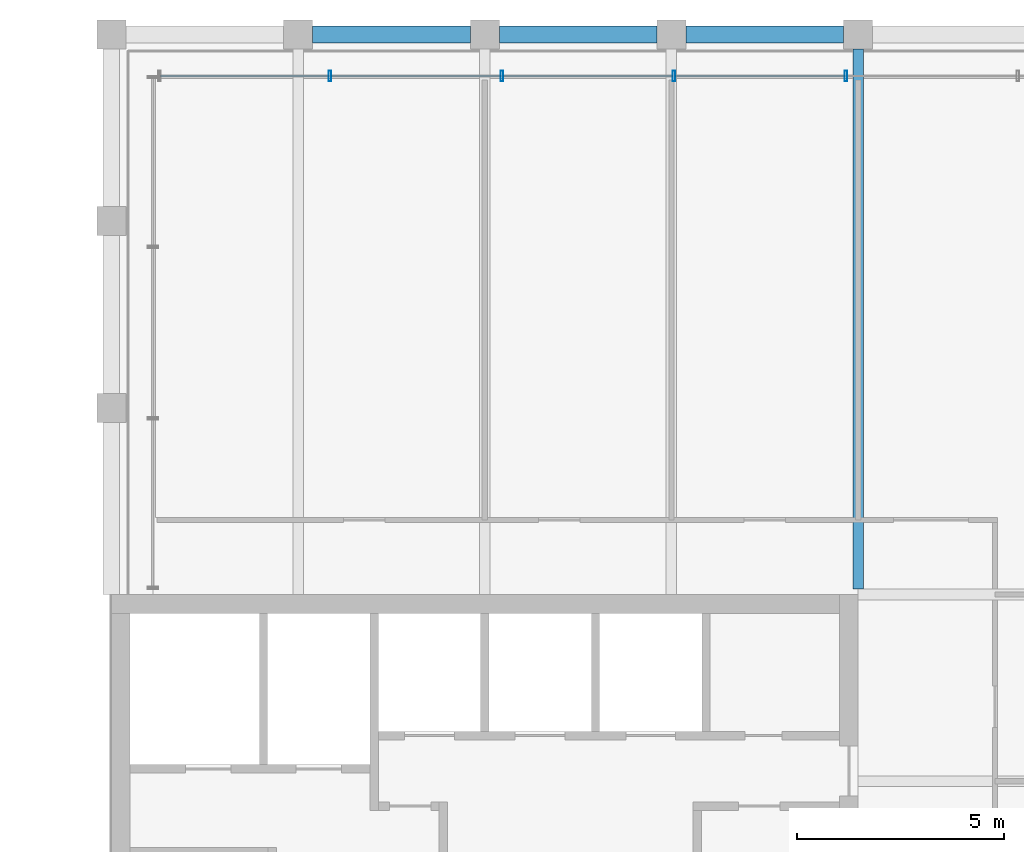
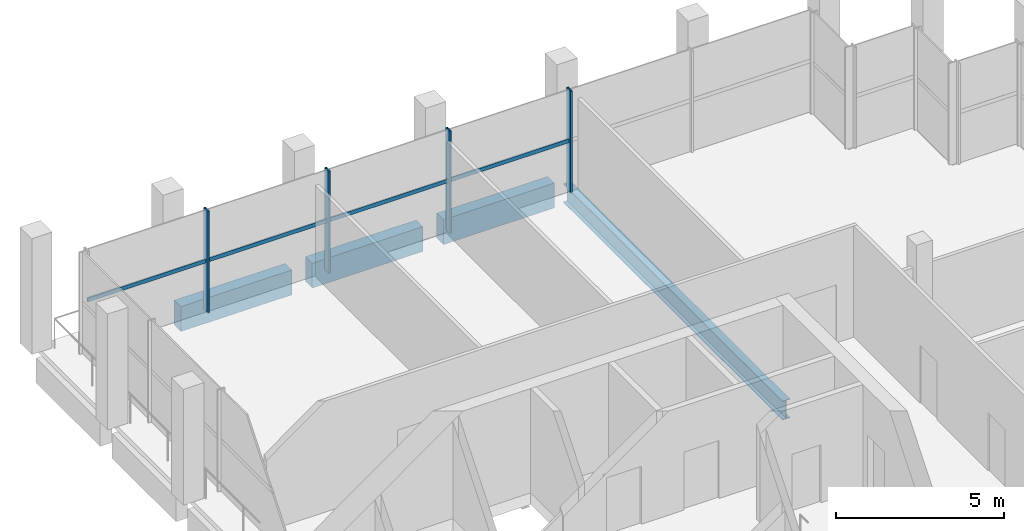
# One storey, part 11 of 17: 8 members, 4 beams, 1 element without a shape of its own.
"""IFC4 building model written with IfcOpenShell, lengths in metres."""

from ifc_helpers import new_model, si_unit, direction, frame, origin, origin_2d, place, context, subcontext, project, spatial, rectangle, hollow_rectangle, i_section, extrude, material, material_profile, profile_set, type_object, element, aggregate, save


model = new_model("IFC4")

# Units and contexts
model_context = context("Model", 3, precision=1e-05, world=origin(), true_north=direction((0.0, 1.0)))
body_context = subcontext(model_context, "Body", "Model", "MODEL_VIEW")
ifc_project = project(units=[si_unit("LENGTHUNIT", "METRE"), si_unit("AREAUNIT", "SQUARE_METRE"), si_unit("VOLUMEUNIT", "CUBIC_METRE"), si_unit("PLANEANGLEUNIT", "RADIAN"), si_unit("MASSUNIT", "GRAM", prefix="KILO")], contexts=[model_context])

# Site, building, storey
site_placement = place(None, origin())
site = spatial("IfcSite", under=ifc_project, at=site_placement, CompositionType="ELEMENT")
building_placement = place(site_placement, origin())
building = spatial("IfcBuilding", under=site, at=building_placement, Name="Altepetl Exchange Towers", CompositionType="ELEMENT")
storey_placement = place(building_placement, frame((0.0, 0.0, 255.199951171875)))
storey = spatial("IfcBuildingStorey", under=building, at=storey_placement, Name="L65", CompositionType="ELEMENT", Elevation=255.199951171875)

# Beam
ifc_material_1 = material(Name="Steel S355", Category="steel")
ifc_material_profile_1 = material_profile(ifc_material_1, i_section(OverallWidth=0.25390625, OverallDepth=0.68408203125, WebThickness=0.012451171875, FlangeThickness=0.018798828125, at=origin_2d()), Name="W27X94")
ifc_profile_set_1 = profile_set([ifc_material_profile_1], Name="Steel S355")
beam_type_1 = type_object("IfcBeamType", Name="Floor beam W27X94", PredefinedType="BEAM", material=ifc_profile_set_1)
beam_placement = place(storey_placement, frame((58.5, 58.634033203125, -0.516845703125), z_axis=(0.0, 1.0, 0.0), x_axis=(-1.0, 0.0, 0.0)))
element("IfcBeam", 1, at=beam_placement, inside=storey, type_object=beam_type_1, Name="bm:A:L65:003", PredefinedType="BEAM", context=body_context, shape_type="SweptSolid", body=[
    extrude(i_section(OverallWidth=0.25390625, OverallDepth=0.68408203125, WebThickness=0.012451171875, FlangeThickness=0.018798828125, at=origin_2d()), origin(), (0.0, 0.0, 1.0), 13.015869140625),
])

# Curtain wall, members
ifc_material_2 = material(Name="Aluminium 6063-T6 glazing", Category="aluminium")
curtain_wall_type = type_object("IfcCurtainWallType", Name="Executive flush glazing system", PredefinedType="NOTDEFINED", material=ifc_material_2)
curtain_wall_placement = place(storey_placement, origin())
curtain_wall = element("IfcCurtainWall", 2, at=curtain_wall_placement, inside=storey, type_object=curtain_wall_type, Name="CW4 run", PredefinedType="NOTDEFINED")
ifc_material_3 = material(Name="Aluminium 6063-T6", Category="aluminium")
ifc_material_profile_2 = material_profile(ifc_material_3, hollow_rectangle(XDim=0.06005859375, YDim=0.25, WallThickness=0.0029296875, at=origin_2d()), Name="Mullion 60x250 hollow aluminium")
ifc_profile_set_2 = profile_set([ifc_material_profile_2], Name="Aluminium 6063-T6")
member_type_1 = type_object("IfcMemberType", Name="Mullion 60x250 hollow aluminium", PredefinedType="MULLION", material=ifc_profile_set_2)
member_1_placement = place(storey_placement, frame((58.208251953125, 71.0, 0.0), z_axis=(0.0, 0.0, 1.0), x_axis=(-1.0, 0.0, 0.0)))
member_1 = element("IfcMember", 3, at=member_1_placement, type_object=member_type_1, Name="MU3 mullion", PredefinedType="MULLION", context=body_context, shape_type="SweptSolid", body=[
    extrude(hollow_rectangle(XDim=0.06005859375, YDim=0.25, WallThickness=0.0029296875, at=origin_2d()), origin(), (0.0, 0.0, 1.0), 3.699951171875),
])
member_2_placement = place(storey_placement, frame((54.0625, 71.0, 0.0), z_axis=(0.0, 0.0, 1.0), x_axis=(-1.0, 0.0, 0.0)))
member_2 = element("IfcMember", 4, at=member_2_placement, type_object=member_type_1, Name="MU3 mullion", PredefinedType="MULLION", context=body_context, shape_type="SweptSolid", body=[
    extrude(hollow_rectangle(XDim=0.06005859375, YDim=0.25, WallThickness=0.0029296875, at=origin_2d()), origin(), (0.0, 0.0, 1.0), 3.699951171875),
])
member_3_placement = place(storey_placement, frame((49.916748046875, 71.0, 0.0), z_axis=(0.0, 0.0, 1.0), x_axis=(-1.0, 0.0, 0.0)))
member_3 = element("IfcMember", 5, at=member_3_placement, type_object=member_type_1, Name="MU3 mullion", PredefinedType="MULLION", context=body_context, shape_type="SweptSolid", body=[
    extrude(hollow_rectangle(XDim=0.06005859375, YDim=0.25, WallThickness=0.0029296875, at=origin_2d()), origin(), (0.0, 0.0, 1.0), 3.699951171875),
])
member_4_placement = place(storey_placement, frame((45.770751953125, 71.0, 0.0), z_axis=(0.0, 0.0, 1.0), x_axis=(-1.0, 0.0, 0.0)))
member_4 = element("IfcMember", 6, at=member_4_placement, type_object=member_type_1, Name="MU3 mullion", PredefinedType="MULLION", context=body_context, shape_type="SweptSolid", body=[
    extrude(hollow_rectangle(XDim=0.06005859375, YDim=0.25, WallThickness=0.0029296875, at=origin_2d()), origin(), (0.0, 0.0, 1.0), 3.699951171875),
])

# Beams
ifc_material_4 = material(Name="Concrete C50/60 precast with cantera rosa facing", Category="concrete")
ifc_material_profile_3 = material_profile(ifc_material_4, rectangle(XDim=0.39990234375, YDim=0.89990234375, at=origin_2d()), Name="400 x 900")
ifc_profile_set_3 = profile_set([ifc_material_profile_3], Name="Concrete C50/60 precast with cantera rosa facing")
beam_type_2 = type_object("IfcBeamType", Name="Spandrel beam 400x900 cantera rosa", PredefinedType="SPANDREL", material=ifc_profile_set_3)
for number, where, z_axis, x_axis, name in (
    (7, (58.14990234375, 72.0, -0.625), (-1.0, 0.0, 0.0), (0.0, -1.0, 0.0), "sp:A:L65:026"),
    (8, (53.64990234375, 72.0, -0.625), (-1.0, 0.0, 0.0), (0.0, -1.0, 0.0), "sp:A:L65:027"),
    (9, (49.14990234375, 72.0, -0.625), (-1.0, 0.0, 0.0), (0.0, -1.0, 0.0), "sp:A:L65:028"),
):
    element("IfcBeam", number, at=place(storey_placement, frame(where, z_axis=z_axis, x_axis=x_axis)), inside=storey, type_object=beam_type_2, Name=name, PredefinedType="SPANDREL", context=body_context, shape_type="SweptSolid", body=[
        extrude(rectangle(XDim=0.39990234375, YDim=0.89990234375, at=origin_2d()), origin(), (0.0, 0.0, 1.0), 3.7998046875),
    ])

# Member
ifc_material_profile_4 = material_profile(ifc_material_3, hollow_rectangle(XDim=0.050048828125, YDim=0.139892578125, WallThickness=0.0029296875, at=origin_2d()), Name="Transom 50x140 hollow aluminium")
ifc_profile_set_4 = profile_set([ifc_material_profile_4], Name="Aluminium 6063-T6")
member_type_2 = type_object("IfcMemberType", Name="Transom 50x140 hollow aluminium", PredefinedType="USERDEFINED", material=ifc_profile_set_4)
member_5_placement = place(storey_placement, frame((58.17822265625, 71.0, 1.85009765625), z_axis=(-1.0, 0.0, 0.0), x_axis=(0.0, -1.0, 0.0)))
member_5 = element("IfcMember", 10, at=member_5_placement, type_object=member_type_2, Name="TR2 transom", ObjectType="TRANSOM", PredefinedType="USERDEFINED", context=body_context, shape_type="SweptSolid", body=[
    extrude(hollow_rectangle(XDim=0.050048828125, YDim=0.139892578125, WallThickness=0.0029296875, at=origin_2d()), origin(), (0.0, 0.0, 1.0), 4.085693359375),
])

member_6_placement = place(storey_placement, frame((54.032470703125, 71.0, 1.85009765625), z_axis=(-1.0, 0.0, 0.0), x_axis=(0.0, -1.0, 0.0)))
member_6 = element("IfcMember", 11, at=member_6_placement, type_object=member_type_2, Name="TR2 transom", ObjectType="TRANSOM", PredefinedType="USERDEFINED", context=body_context, shape_type="SweptSolid", body=[
    extrude(hollow_rectangle(XDim=0.050048828125, YDim=0.139892578125, WallThickness=0.0029296875, at=origin_2d()), origin(), (0.0, 0.0, 1.0), 4.085693359375),
])

member_7_placement = place(storey_placement, frame((49.88671875, 71.0, 1.85009765625), z_axis=(-1.0, 0.0, 0.0), x_axis=(0.0, -1.0, 0.0)))
member_7 = element("IfcMember", 12, at=member_7_placement, type_object=member_type_2, Name="TR2 transom", ObjectType="TRANSOM", PredefinedType="USERDEFINED", context=body_context, shape_type="SweptSolid", body=[
    extrude(hollow_rectangle(XDim=0.050048828125, YDim=0.139892578125, WallThickness=0.0029296875, at=origin_2d()), origin(), (0.0, 0.0, 1.0), 4.0859375),
])

member_8_placement = place(storey_placement, frame((45.74072265625, 71.0, 1.85009765625), z_axis=(-1.0, 0.0, 0.0), x_axis=(0.0, -1.0, 0.0)))
member_8 = element("IfcMember", 13, at=member_8_placement, type_object=member_type_2, Name="TR2 transom", ObjectType="TRANSOM", PredefinedType="USERDEFINED", context=body_context, shape_type="SweptSolid", body=[
    extrude(hollow_rectangle(XDim=0.050048828125, YDim=0.139892578125, WallThickness=0.0029296875, at=origin_2d()), origin(), (0.0, 0.0, 1.0), 4.0556640625),
])

aggregate(curtain_wall, [member_1, member_2, member_3, member_4, member_5, member_6, member_7, member_8])

save(model, "model.ifc")
